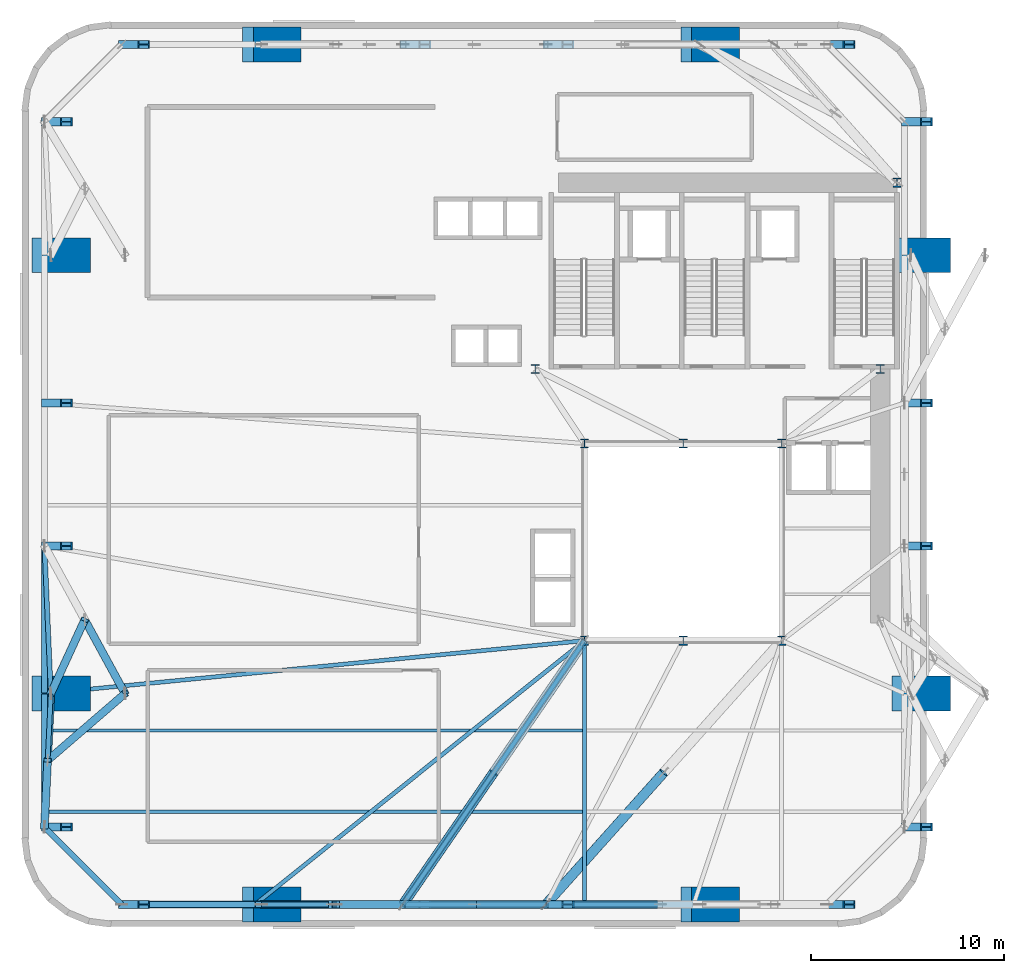
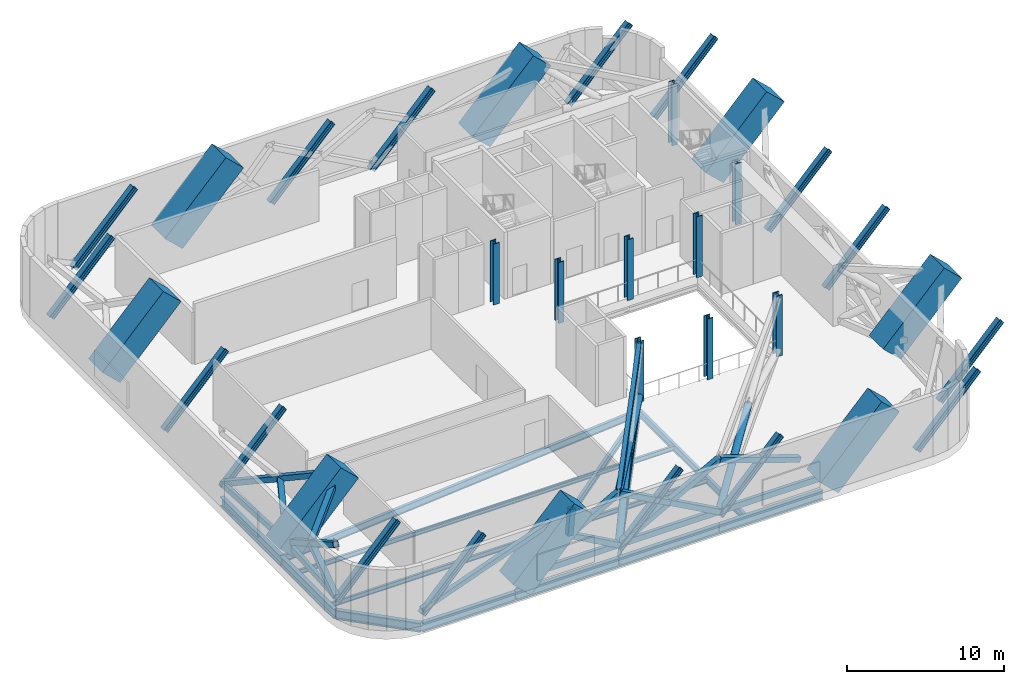
# One storey, part 1 of 12: 33 columns, 23 members, 13 beams.
"""IFC4 building model written with IfcOpenShell, lengths in metres."""

from ifc_helpers import new_model, si_unit, direction, frame, origin, origin_2d, place, context, subcontext, project, spatial, rectangle, hollow_rectangle, hollow_circle, i_section, extrude, source, transform, mapped, material, material_profile, profile_set, type_object, element, save


model = new_model("IFC4")

# Units and contexts
model_context = context("Model", 3, precision=1e-05, world=origin(), true_north=direction((0.0, 1.0)))
body_context = subcontext(model_context, "Body", "Model", "MODEL_VIEW")
ifc_project = project(units=[si_unit("LENGTHUNIT", "METRE"), si_unit("AREAUNIT", "SQUARE_METRE"), si_unit("VOLUMEUNIT", "CUBIC_METRE"), si_unit("PLANEANGLEUNIT", "RADIAN"), si_unit("MASSUNIT", "GRAM", prefix="KILO")], contexts=[model_context])

# Site, building, storey
site_placement = place(None, origin())
site = spatial("IfcSite", under=ifc_project, at=site_placement, CompositionType="ELEMENT")
building_placement = place(site_placement, origin())
building = spatial("IfcBuilding", under=site, at=building_placement, Name="Vardaveli Station Tower", CompositionType="ELEMENT")
storey_placement = place(building_placement, frame((0.0, 0.0, 93.300048828125)))
storey = spatial("IfcBuildingStorey", under=building, at=storey_placement, Name="L24", CompositionType="ELEMENT", Elevation=93.300048828125)

# Columns
ifc_material_1 = material(Name="Structural steel S460M", Category="steel")
ifc_material_profile_1 = material_profile(ifc_material_1, i_section(OverallWidth=0.427978515625, OverallDepth=0.48095703125, WebThickness=0.03955078125, FlangeThickness=0.0634765625, FilletRadius=0.014892578125, at=origin_2d()), Name="HD 400x677")
ifc_profile_set_1 = profile_set([ifc_material_profile_1], Name="Structural steel S460M")
column_type_1 = type_object("IfcColumnType", Name="COL-HD677", PredefinedType="COLUMN", material=ifc_profile_set_1)
shared_shape_1 = source(origin(), body_context, "Body", "SweptSolid", [
    extrude(i_section(OverallWidth=0.427978515625, OverallDepth=0.48095703125, WebThickness=0.03955078125, FlangeThickness=0.0634765625, FilletRadius=0.014892578125, at=origin_2d()), origin(), (0.0, 0.0, 1.0), 4.75),
])
for number, where, z_axis, x_axis, name in (
    (1, (31.199951171875, 16.60009765625, 0.0), (0.0, 0.0, 1.0), (1.0, 0.0, 0.0), "COL-L24-AC1"),
    (2, (36.300048828125, 16.60009765625, 0.0), (0.0, 0.0, 1.0), (1.0, 0.0, 0.0), "COL-L24-AC2"),
    (3, (41.39990234375, 16.60009765625, 0.0), (0.0, 0.0, 1.0), (1.0, 0.0, 0.0), "COL-L24-AC3"),
    (4, (41.39990234375, 26.800048828125, 0.0), (0.0, 0.0, 1.0), (1.0, 0.0, 0.0), "COL-L24-AC4"),
    (5, (36.300048828125, 26.800048828125, 0.0), (0.0, 0.0, 1.0), (1.0, 0.0, 0.0), "COL-L24-AC5"),
    (6, (31.199951171875, 26.800048828125, 0.0), (0.0, 0.0, 1.0), (1.0, 0.0, 0.0), "COL-L24-AC6"),
    (7, (28.64990234375, 30.64990234375, 0.0), (0.0, 0.0, 1.0), (1.0, 0.0, 0.0), "COL-L24-CC1"),
    (8, (46.5, 30.64990234375, 0.0), (0.0, 0.0, 1.0), (1.0, 0.0, 0.0), "COL-L24-CC2"),
    (9, (47.3701171875, 40.300048828125, 0.0), (0.0, 0.0, 1.0), (1.0, 0.0, 0.0), "COL-L24-CC3"),
):
    element("IfcColumn", number, at=place(storey_placement, frame(where, z_axis=z_axis, x_axis=x_axis)), inside=storey, type_object=column_type_1, Name=name, PredefinedType="COLUMN", context=body_context, shape_type="MappedRepresentation", body=[
        mapped(shared_shape_1, transform((0.0, 0.0, 0.0), scale=1.0)),
    ])
ifc_material_2 = material(Name="Concrete C70/85", Category="concrete")
ifc_material_profile_2 = material_profile(ifc_material_2, rectangle(XDim=1.800048828125, YDim=1.800048828125, at=origin_2d()), Name="MC 1800x1800")
ifc_profile_set_2 = profile_set([ifc_material_profile_2], Name="Concrete C70/85")
column_type_2 = type_object("IfcColumnType", Name="COL-MC-1800", PredefinedType="COLUMN", material=ifc_profile_set_2)
shared_shape_2 = source(origin(), body_context, "Body", "SweptSolid", [
    extrude(rectangle(XDim=1.800048828125, YDim=1.800048828125, at=origin_2d()), origin(), (0.0, 0.0, 1.0), 6.543212890625),
])
for number, where, z_axis, x_axis, name in (
    (10, (14.159912109375, 2.949951171875, 0.0), (0.687744647911, 0.0, 0.725952683906), (0.0, 1.0, 0.0), "COL-L24-MC1"),
    (11, (36.840087890625, 2.949951171875, 0.0), (0.687744647911, 0.0, 0.725952683906), (0.0, 1.0, 0.0), "COL-L24-MC2"),
    (12, (47.75, 13.860107421875, 0.0), (0.687744647911, 0.0, 0.725952683906), (0.0, 1.0, 0.0), "COL-L24-MC3"),
    (13, (47.75, 36.5400390625, 0.0), (0.687744647911, 0.0, 0.725952683906), (0.0, 1.0, 0.0), "COL-L24-MC4"),
    (14, (36.840087890625, 47.449951171875, 0.0), (0.687744647911, 0.0, 0.725952683906), (0.0, 1.0, 0.0), "COL-L24-MC5"),
    (15, (14.159912109375, 47.449951171875, 0.0), (0.687744647911, 0.0, 0.725952683906), (0.0, 1.0, 0.0), "COL-L24-MC6"),
    (16, (3.25, 36.5400390625, 0.0), (0.687744647911, 0.0, 0.725952683906), (0.0, 1.0, 0.0), "COL-L24-MC7"),
    (17, (3.25, 13.860107421875, 0.0), (0.687744647911, 0.0, 0.725952683906), (0.0, 1.0, 0.0), "COL-L24-MC8"),
):
    element("IfcColumn", number, at=place(storey_placement, frame(where, z_axis=z_axis, x_axis=x_axis)), inside=storey, type_object=column_type_2, Name=name, PredefinedType="COLUMN", context=body_context, shape_type="MappedRepresentation", body=[
        mapped(shared_shape_2, transform((0.0, 0.0, 0.0), scale=1.0)),
    ])
ifc_material_profile_3 = material_profile(ifc_material_1, i_section(OverallWidth=0.4189453125, OverallDepth=0.448974609375, WebThickness=0.030517578125, FlangeThickness=0.04833984375, FilletRadius=0.014892578125, at=origin_2d()), Name="HD 400x509")
ifc_profile_set_3 = profile_set([ifc_material_profile_3], Name="Structural steel S460M")
column_type_3 = type_object("IfcColumnType", Name="COL-HD509", PredefinedType="COLUMN", material=ifc_profile_set_3)
shared_shape_3 = source(origin(), body_context, "Body", "SweptSolid", [
    extrude(i_section(OverallWidth=0.4189453125, OverallDepth=0.448974609375, WebThickness=0.030517578125, FlangeThickness=0.04833984375, FilletRadius=0.014892578125, at=origin_2d()), origin(), (0.0, 0.0, 1.0), 6.543212890625),
])
for number, where, z_axis, x_axis, name in (
    (18, (7.25, 2.949951171875, 0.0), (0.687744647911, 0.0, 0.725952683906), (0.0, 1.0, 0.0), "COL-L24-PC01"),
    (19, (21.800048828125, 2.949951171875, 0.0), (0.687744647911, 0.0, 0.725952683906), (0.0, 1.0, 0.0), "COL-L24-PC02"),
    (20, (29.199951171875, 2.949951171875, 0.0), (0.687744647911, 0.0, 0.725952683906), (0.0, 1.0, 0.0), "COL-L24-PC03"),
    (21, (43.75, 2.949951171875, 0.0), (0.687744647911, 0.0, 0.725952683906), (0.0, 1.0, 0.0), "COL-L24-PC04"),
    (22, (47.75, 6.949951171875, 0.0), (0.687744647911, 0.0, 0.725952683906), (0.0, 1.0, 0.0), "COL-L24-PC05"),
    (23, (47.75, 21.5, 0.0), (0.687744647911, 0.0, 0.725952683906), (0.0, 1.0, 0.0), "COL-L24-PC06"),
    (24, (47.75, 28.89990234375, 0.0), (0.687744647911, 0.0, 0.725952683906), (0.0, 1.0, 0.0), "COL-L24-PC07"),
    (25, (47.75, 43.449951171875, 0.0), (0.687744647911, 0.0, 0.725952683906), (0.0, 1.0, 0.0), "COL-L24-PC08"),
    (26, (43.75, 47.449951171875, 0.0), (0.687744647911, 0.0, 0.725952683906), (0.0, 1.0, 0.0), "COL-L24-PC09"),
    (27, (29.199951171875, 47.449951171875, 0.0), (0.687744647911, 0.0, 0.725952683906), (0.0, 1.0, 0.0), "COL-L24-PC10"),
    (28, (21.800048828125, 47.449951171875, 0.0), (0.687744647911, 0.0, 0.725952683906), (0.0, 1.0, 0.0), "COL-L24-PC11"),
    (29, (7.25, 47.449951171875, 0.0), (0.687744647911, 0.0, 0.725952683906), (0.0, 1.0, 0.0), "COL-L24-PC12"),
    (30, (3.25, 43.449951171875, 0.0), (0.687744647911, 0.0, 0.725952683906), (0.0, 1.0, 0.0), "COL-L24-PC13"),
    (31, (3.25, 28.89990234375, 0.0), (0.687744647911, 0.0, 0.725952683906), (0.0, 1.0, 0.0), "COL-L24-PC14"),
    (32, (3.25, 21.5, 0.0), (0.687744647911, 0.0, 0.725952683906), (0.0, 1.0, 0.0), "COL-L24-PC15"),
    (33, (3.25, 6.949951171875, 0.0), (0.687744647911, 0.0, 0.725952683906), (0.0, 1.0, 0.0), "COL-L24-PC16"),
):
    element("IfcColumn", number, at=place(storey_placement, frame(where, z_axis=z_axis, x_axis=x_axis)), inside=storey, type_object=column_type_3, Name=name, PredefinedType="COLUMN", context=body_context, shape_type="MappedRepresentation", body=[
        mapped(shared_shape_3, transform((0.0, 0.0, 0.0), scale=1.0)),
    ])

# Beams
ifc_material_3 = material(Name="Structural steel S355J2", Category="steel")
ifc_material_profile_4 = material_profile(ifc_material_3, i_section(OverallWidth=0.2099609375, OverallDepth=0.550048828125, WebThickness=0.010986328125, FlangeThickness=0.01708984375, FilletRadius=0.02392578125, at=origin_2d()), Name="IPE 550")
ifc_profile_set_4 = profile_set([ifc_material_profile_4], Name="Structural steel S355J2")
beam_type_1 = type_object("IfcBeamType", Name="BM-IPE550", PredefinedType="BEAM", material=ifc_profile_set_4)
shared_shape_4 = source(origin(), body_context, "Body", "SweptSolid", [
    extrude(i_section(OverallWidth=0.2099609375, OverallDepth=0.550048828125, WebThickness=0.010986328125, FlangeThickness=0.01708984375, FilletRadius=0.02392578125, at=origin_2d()), origin(), (0.0, 0.0, 1.0), 13.469970703125),
])
beam_1_placement = place(storey_placement, frame((31.199951171875, 2.989990234375, -0.925048828125), z_axis=(0.0, 1.0, 0.0), x_axis=(-1.0, 0.0, 0.0)))
element("IfcBeam", 34, at=beam_1_placement, inside=storey, type_object=beam_type_1, Name="NSM-L24-S1", PredefinedType="BEAM", context=body_context, shape_type="MappedRepresentation", body=[
    mapped(shared_shape_4, transform((0.0, 0.0, 0.0), scale=1.0)),
])
ifc_material_profile_5 = material_profile(ifc_material_3, i_section(OverallWidth=0.169921875, OverallDepth=0.360107421875, WebThickness=0.008056640625, FlangeThickness=0.0126953125, FilletRadius=0.01806640625, at=origin_2d()), Name="IPE 360")
ifc_profile_set_5 = profile_set([ifc_material_profile_5], Name="Structural steel S355J2")
beam_type_2 = type_object("IfcBeamType", Name="BM-IPE360", PredefinedType="JOIST", material=ifc_profile_set_5)
shared_shape_5 = source(origin(), body_context, "Body", "SweptSolid", [
    extrude(i_section(OverallWidth=0.169921875, OverallDepth=0.360107421875, WebThickness=0.008056640625, FlangeThickness=0.0126953125, FilletRadius=0.01806640625, at=origin_2d()), origin(), (0.0, 0.0, 1.0), 27.7978515625),
])
for number, where, z_axis, x_axis, name in (
    (35, (3.2900390625, 7.75, -0.830078125), (1.0, 0.0, 0.0), (0.0, 1.0, 0.0), "SJ-L24-S01"),
    (36, (3.2900390625, 11.949951171875, -0.830078125), (1.0, 0.0, 0.0), (0.0, 1.0, 0.0), "SJ-L24-S04"),
):
    element("IfcBeam", number, at=place(storey_placement, frame(where, z_axis=z_axis, x_axis=x_axis)), inside=storey, type_object=beam_type_2, Name=name, PredefinedType="JOIST", context=body_context, shape_type="MappedRepresentation", body=[
        mapped(shared_shape_5, transform((0.0, 0.0, 0.0), scale=1.0)),
    ])
ifc_material_profile_6 = material_profile(ifc_material_1, i_section(OverallWidth=0.303955078125, OverallDepth=0.716064453125, WebThickness=0.02099609375, FlangeThickness=0.0400390625, FilletRadius=0.027099609375, at=origin_2d()), Name="HEM 700")
ifc_profile_set_6 = profile_set([ifc_material_profile_6], Name="Structural steel S460M")
beam_type_3 = type_object("IfcBeamType", Name="BM-HEM700", PredefinedType="BEAM", material=ifc_profile_set_6)
shared_shape_6 = source(origin(), body_context, "Body", "SweptSolid", [
    extrude(i_section(OverallWidth=0.303955078125, OverallDepth=0.716064453125, WebThickness=0.02099609375, FlangeThickness=0.0400390625, FilletRadius=0.027099609375, at=origin_2d()), origin(), (0.0, 0.0, 1.0), 7.60009765625),
])
for number, where, z_axis, x_axis, name in (
    (37, (14.179931640625, 2.949951171875, -1.008056640625), (1.0, 0.0, 0.0), (0.0, 1.0, 0.0), "RBM-L24-01"),
    (38, (29.219970703125, 2.949951171875, -1.008056640625), (1.0, 0.0, 0.0), (0.0, 1.0, 0.0), "RBM-L24-03"),
    (39, (3.25, 21.47998046875, -1.008056640625), (0.0, -1.0, 0.0), (1.0, 0.0, 0.0), "RBM-L24-21"),
):
    element("IfcBeam", number, at=place(storey_placement, frame(where, z_axis=z_axis, x_axis=x_axis)), inside=storey, type_object=beam_type_3, Name=name, PredefinedType="BEAM", context=body_context, shape_type="MappedRepresentation", body=[
        mapped(shared_shape_6, transform((0.0, 0.0, 0.0), scale=1.0)),
    ])
shared_shape_7 = source(origin(), body_context, "Body", "SweptSolid", [
    extrude(i_section(OverallWidth=0.303955078125, OverallDepth=0.716064453125, WebThickness=0.02099609375, FlangeThickness=0.0400390625, FilletRadius=0.027099609375, at=origin_2d()), origin(), (0.0, 0.0, 1.0), 7.35986328125),
])
beam_2_placement = place(storey_placement, frame((21.820068359375, 2.949951171875, -1.008056640625), z_axis=(1.0, 0.0, 0.0), x_axis=(0.0, 1.0, 0.0)))
element("IfcBeam", 40, at=beam_2_placement, inside=storey, type_object=beam_type_3, Name="RBM-L24-02", PredefinedType="BEAM", context=body_context, shape_type="MappedRepresentation", body=[
    mapped(shared_shape_7, transform((0.0, 0.0, 0.0), scale=1.0)),
])
shared_shape_8 = source(origin(), body_context, "Body", "SweptSolid", [
    extrude(i_section(OverallWidth=0.303955078125, OverallDepth=0.716064453125, WebThickness=0.02099609375, FlangeThickness=0.0400390625, FilletRadius=0.027099609375, at=origin_2d()), origin(), (0.0, 0.0, 1.0), 6.869873046875),
])
beam_3_placement = place(storey_placement, frame((7.27001953125, 2.949951171875, -1.008056640625), z_axis=(1.0, 0.0, 0.0), x_axis=(0.0, 1.0, 0.0)))
element("IfcBeam", 41, at=beam_3_placement, inside=storey, type_object=beam_type_3, Name="RBM-L24-24", PredefinedType="BEAM", context=body_context, shape_type="MappedRepresentation", body=[
    mapped(shared_shape_8, transform((0.0, 0.0, 0.0), scale=1.0)),
])
shared_shape_9 = source(origin(), body_context, "Body", "SweptSolid", [
    extrude(i_section(OverallWidth=0.303955078125, OverallDepth=0.716064453125, WebThickness=0.02099609375, FlangeThickness=0.0400390625, FilletRadius=0.027099609375, at=origin_2d()), origin(), (0.0, 0.0, 1.0), 5.61669921875),
])
beam_4_placement = place(storey_placement, frame((3.26416015625, 6.935791015625, -1.008056640625), z_axis=(0.707106781187, -0.707106781187, 0.0), x_axis=(0.707106781187, 0.707106781187, 0.0)))
element("IfcBeam", 42, at=beam_4_placement, inside=storey, type_object=beam_type_3, Name="RBM-L24-23", PredefinedType="BEAM", context=body_context, shape_type="MappedRepresentation", body=[
    mapped(shared_shape_9, transform((0.0, 0.0, 0.0), scale=1.0)),
])
shared_shape_10 = source(origin(), body_context, "Body", "SweptSolid", [
    extrude(i_section(OverallWidth=0.303955078125, OverallDepth=0.716064453125, WebThickness=0.02099609375, FlangeThickness=0.0400390625, FilletRadius=0.027099609375, at=origin_2d()), origin(), (0.0, 0.0, 1.0), 6.8701171875),
])
beam_5_placement = place(storey_placement, frame((3.25, 13.840087890625, -1.008056640625), z_axis=(0.0, -1.0, 0.0), x_axis=(1.0, 0.0, 0.0)))
element("IfcBeam", 43, at=beam_5_placement, inside=storey, type_object=beam_type_3, Name="RBM-L24-22", PredefinedType="BEAM", context=body_context, shape_type="MappedRepresentation", body=[
    mapped(shared_shape_10, transform((0.0, 0.0, 0.0), scale=1.0)),
])
shared_shape_11 = source(origin(), body_context, "Body", "SweptSolid", [
    extrude(i_section(OverallWidth=0.2099609375, OverallDepth=0.550048828125, WebThickness=0.010986328125, FlangeThickness=0.01708984375, FilletRadius=0.02392578125, at=origin_2d()), origin(), (0.0, 0.0, 1.0), 21.793212890625),
])
beam_6_placement = place(storey_placement, frame((14.175537109375, 2.96240234375, -0.925048828125), z_axis=(0.780466445023, 0.625197671296, 0.0), x_axis=(-0.625197671296, 0.780466445023, 0.0)))
element("IfcBeam", 44, at=beam_6_placement, inside=storey, type_object=beam_type_1, Name="GBM-L24-01", PredefinedType="BEAM", context=body_context, shape_type="MappedRepresentation", body=[
    mapped(shared_shape_11, transform((0.0, 0.0, 0.0), scale=1.0)),
])
shared_shape_12 = source(origin(), body_context, "Body", "SweptSolid", [
    extrude(i_section(OverallWidth=0.2099609375, OverallDepth=0.550048828125, WebThickness=0.010986328125, FlangeThickness=0.01708984375, FilletRadius=0.02392578125, at=origin_2d()), origin(), (0.0, 0.0, 1.0), 16.533447265625),
])
beam_7_placement = place(storey_placement, frame((21.811279296875, 2.966552734375, -0.925048828125), z_axis=(0.567177272103, 0.823595739431, 0.0), x_axis=(-0.823595739431, 0.567177272103, 0.0)))
element("IfcBeam", 45, at=beam_7_placement, inside=storey, type_object=beam_type_1, Name="GBM-L24-02", PredefinedType="BEAM", context=body_context, shape_type="MappedRepresentation", body=[
    mapped(shared_shape_12, transform((0.0, 0.0, 0.0), scale=1.0)),
])
shared_shape_13 = source(origin(), body_context, "Body", "SweptSolid", [
    extrude(i_section(OverallWidth=0.2099609375, OverallDepth=0.550048828125, WebThickness=0.010986328125, FlangeThickness=0.01708984375, FilletRadius=0.02392578125, at=origin_2d()), origin(), (0.0, 0.0, 1.0), 28.0439453125),
])
beam_8_placement = place(storey_placement, frame((3.27001953125, 13.862060546875, -0.925048828125), z_axis=(0.995229237856, 0.097564153855, 0.0), x_axis=(-0.097564153855, 0.995229237856, 0.0)))
element("IfcBeam", 46, at=beam_8_placement, inside=storey, type_object=beam_type_1, Name="GBM-L24-10", PredefinedType="BEAM", context=body_context, shape_type="MappedRepresentation", body=[
    mapped(shared_shape_13, transform((0.0, 0.0, 0.0), scale=1.0)),
])

# Members
ifc_material_profile_7 = material_profile(ifc_material_1, hollow_rectangle(XDim=0.300048828125, YDim=0.5, WallThickness=0.02001953125, at=origin_2d()), Name="RHS 500x300x20")
ifc_profile_set_7 = profile_set([ifc_material_profile_7], Name="Structural steel S460M")
member_type_1 = type_object("IfcMemberType", Name="MEM-CH-RHS500", PredefinedType="CHORD", material=ifc_profile_set_7)
shared_shape_14 = source(origin(), body_context, "Body", "SweptSolid", [
    extrude(hollow_rectangle(XDim=0.300048828125, YDim=0.5, WallThickness=0.02001953125, at=origin_2d()), origin(), (0.0, 0.0, 1.0), 16.57373046875),
])
for number, where, z_axis, x_axis, name in (
    (47, (31.199951171875, 16.60009765625, 0.349853515625), (-0.567160707984, -0.823607146229, 0.0), (0.823607146229, -0.567160707984, 0.0), "OUT-L24-OA1-CHB"),
    (48, (31.199951171875, 16.60009765625, 4.39990234375), (-0.567160707984, -0.823607146229, 0.0), (0.823607146229, -0.567160707984, 0.0), "OUT-L24-OA1-CHT"),
):
    element("IfcMember", number, at=place(storey_placement, frame(where, z_axis=z_axis, x_axis=x_axis)), inside=storey, type_object=member_type_1, Name=name, PredefinedType="CHORD", context=body_context, shape_type="MappedRepresentation", body=[
        mapped(shared_shape_14, transform((0.0, 0.0, 0.0), scale=1.0)),
    ])
ifc_material_profile_8 = material_profile(ifc_material_1, hollow_circle(Radius=0.25390625, WallThickness=0.02490234375, at=origin_2d()), Name="CHS 508x25")
ifc_profile_set_8 = profile_set([ifc_material_profile_8], Name="Structural steel S460M")
member_type_2 = type_object("IfcMemberType", Name="MEM-BR-CHS508", PredefinedType="BRACE", material=ifc_profile_set_8)
shared_shape_15 = source(origin(), body_context, "Body", "SweptSolid", [
    extrude(hollow_circle(Radius=0.25390625, WallThickness=0.02490234375, at=origin_2d()), origin(), (0.0, 0.0, 1.0), 17.061279296875),
])
member_1_placement = place(storey_placement, frame((31.199951171875, 16.60009765625, 0.349853515625), z_axis=(-0.550949153176, -0.800065401882, 0.237382356814), x_axis=(0.823607146229, -0.567160707984, 0.0)))
element("IfcMember", 49, at=member_1_placement, inside=storey, type_object=member_type_2, Name="OUT-L24-OA1-D1", PredefinedType="BRACE", context=body_context, shape_type="MappedRepresentation", body=[
    mapped(shared_shape_15, transform((0.0, 0.0, 0.0), scale=1.0)),
])
shared_shape_16 = source(origin(), body_context, "Body", "SweptSolid", [
    extrude(hollow_circle(Radius=0.25390625, WallThickness=0.02490234375, at=origin_2d()), origin(), (0.0, 0.0, 1.0), 8.530517578125),
])
member_2_placement = place(storey_placement, frame((21.800048828125, 2.949951171875, 0.349853515625), z_axis=(0.55095358924, 0.800057534009, 0.237398577879), x_axis=(-0.823602407705, 0.567167589009, 0.0)))
element("IfcMember", 50, at=member_2_placement, inside=storey, type_object=member_type_2, Name="OUT-L24-OA1-D2A", PredefinedType="BRACE", context=body_context, shape_type="MappedRepresentation", body=[
    mapped(shared_shape_16, transform((0.0, 0.0, 0.0), scale=1.0)),
])
shared_shape_17 = source(origin(), body_context, "Body", "SweptSolid", [
    extrude(hollow_circle(Radius=0.25390625, WallThickness=0.02490234375, at=origin_2d()), origin(), (0.0, 0.0, 1.0), 9.375),
])
member_3_placement = place(storey_placement, frame((29.199951171875, 2.949951171875, 0.349853515625), z_axis=(0.650670630758, 0.727987572354, 0.216013482836), x_axis=(-0.745590684684, 0.666404179843, 0.0)))
element("IfcMember", 51, at=member_3_placement, inside=storey, type_object=member_type_2, Name="OUT-L24-OA2-D2A", PredefinedType="BRACE", context=body_context, shape_type="MappedRepresentation", body=[
    mapped(shared_shape_17, transform((0.0, 0.0, 0.0), scale=1.0)),
])
ifc_material_profile_9 = material_profile(ifc_material_1, hollow_rectangle(XDim=0.25, YDim=0.449951171875, WallThickness=0.01611328125, at=origin_2d()), Name="RHS 450x250x16")
ifc_profile_set_9 = profile_set([ifc_material_profile_9], Name="Structural steel S460M")
member_type_3 = type_object("IfcMemberType", Name="MEM-CH-RHS450", PredefinedType="CHORD", material=ifc_profile_set_9)
shared_shape_18 = source(origin(), body_context, "Body", "SweptSolid", [
    extrude(hollow_rectangle(XDim=0.25, YDim=0.449951171875, WallThickness=0.01611328125, at=origin_2d()), origin(), (0.0, 0.0, 1.0), 7.308349609375),
])
member_4_placement = place(storey_placement, frame((14.49169921875, 2.949951171875, 0.349853515625), z_axis=(1.0, 0.0, 0.0), x_axis=(0.0, 1.0, 0.0)))
element("IfcMember", 52, at=member_4_placement, inside=storey, type_object=member_type_3, Name="BLT-L24-CH-01", PredefinedType="CHORD", context=body_context, shape_type="MappedRepresentation", body=[
    mapped(shared_shape_18, transform((0.0, 0.0, 0.0), scale=1.0)),
])
ifc_material_profile_10 = material_profile(ifc_material_1, hollow_rectangle(XDim=0.39990234375, YDim=0.39990234375, WallThickness=0.02001953125, at=origin_2d()), Name="RHS 400x400x20")
ifc_profile_set_10 = profile_set([ifc_material_profile_10], Name="Structural steel S460M")
member_type_4 = type_object("IfcMemberType", Name="MEM-BR-RHS400", PredefinedType="BRACE", material=ifc_profile_set_10)
shared_shape_19 = source(origin(), body_context, "Body", "SweptSolid", [
    extrude(hollow_rectangle(XDim=0.39990234375, YDim=0.39990234375, WallThickness=0.02001953125, at=origin_2d()), origin(), (0.0, 0.0, 1.0), 8.35546875),
])
member_5_placement = place(storey_placement, frame((14.49169921875, 2.949951171875, 0.349853515625), z_axis=(0.874672251849, 0.0, 0.484714814963), x_axis=(0.0, 1.0, 0.0)))
element("IfcMember", 53, at=member_5_placement, inside=storey, type_object=member_type_4, Name="BLT-L24-D1-01", PredefinedType="BRACE", context=body_context, shape_type="MappedRepresentation", body=[
    mapped(shared_shape_19, transform((0.0, 0.0, 0.0), scale=1.0)),
])
shared_shape_20 = source(origin(), body_context, "Body", "SweptSolid", [
    extrude(hollow_rectangle(XDim=0.39990234375, YDim=0.39990234375, WallThickness=0.02001953125, at=origin_2d()), origin(), (0.0, 0.0, 1.0), 4.177978515625),
])
member_6_placement = place(storey_placement, frame((21.800048828125, 2.949951171875, 0.349853515625), z_axis=(-0.874666729081, 0.0, 0.484724780714), x_axis=(0.0, -1.0, 0.0)))
element("IfcMember", 54, at=member_6_placement, inside=storey, type_object=member_type_4, Name="BLT-L24-D2A-01", PredefinedType="BRACE", context=body_context, shape_type="MappedRepresentation", body=[
    mapped(shared_shape_20, transform((0.0, 0.0, 0.0), scale=1.0)),
])
shared_shape_21 = source(origin(), body_context, "Body", "SweptSolid", [
    extrude(hollow_rectangle(XDim=0.39990234375, YDim=0.39990234375, WallThickness=0.02001953125, at=origin_2d()), origin(), (0.0, 0.0, 1.0), 2.033203125),
])
member_7_placement = place(storey_placement, frame((18.145751953125, 2.949951171875, 2.375), z_axis=(0.089821137984, 0.0, 0.995957912349), x_axis=(0.0, 1.0, 0.0)))
element("IfcMember", 55, at=member_7_placement, inside=storey, type_object=member_type_4, Name="BLT-L24-D2B-01", PredefinedType="BRACE", context=body_context, shape_type="MappedRepresentation", body=[
    mapped(shared_shape_21, transform((0.0, 0.0, 0.0), scale=1.0)),
])
shared_shape_22 = source(origin(), body_context, "Body", "SweptSolid", [
    extrude(hollow_rectangle(XDim=0.25, YDim=0.449951171875, WallThickness=0.01611328125, at=origin_2d()), origin(), (0.0, 0.0, 1.0), 7.39990234375),
])
member_8_placement = place(storey_placement, frame((21.800048828125, 2.949951171875, 0.349853515625), z_axis=(1.0, 0.0, 0.0), x_axis=(0.0, 1.0, 0.0)))
element("IfcMember", 56, at=member_8_placement, inside=storey, type_object=member_type_3, Name="BLT-L24-CH-02", PredefinedType="CHORD", context=body_context, shape_type="MappedRepresentation", body=[
    mapped(shared_shape_22, transform((0.0, 0.0, 0.0), scale=1.0)),
])
shared_shape_23 = source(origin(), body_context, "Body", "SweptSolid", [
    extrude(hollow_rectangle(XDim=0.39990234375, YDim=0.39990234375, WallThickness=0.02001953125, at=origin_2d()), origin(), (0.0, 0.0, 1.0), 8.435791015625),
])
member_9_placement = place(storey_placement, frame((21.800048828125, 2.949951171875, 0.349853515625), z_axis=(0.877210039359, 0.0, 0.480106807751), x_axis=(0.0, 1.0, 0.0)))
element("IfcMember", 57, at=member_9_placement, inside=storey, type_object=member_type_4, Name="BLT-L24-D1-02", PredefinedType="BRACE", context=body_context, shape_type="MappedRepresentation", body=[
    mapped(shared_shape_23, transform((0.0, 0.0, 0.0), scale=1.0)),
])
shared_shape_24 = source(origin(), body_context, "Body", "SweptSolid", [
    extrude(hollow_rectangle(XDim=0.39990234375, YDim=0.39990234375, WallThickness=0.02001953125, at=origin_2d()), origin(), (0.0, 0.0, 1.0), 4.218017578125),
])
member_10_placement = place(storey_placement, frame((29.199951171875, 2.949951171875, 0.349853515625), z_axis=(-0.877197850497, 0.0, 0.480129077524), x_axis=(0.0, -1.0, 0.0)))
element("IfcMember", 58, at=member_10_placement, inside=storey, type_object=member_type_4, Name="BLT-L24-D2A-02", PredefinedType="BRACE", context=body_context, shape_type="MappedRepresentation", body=[
    mapped(shared_shape_24, transform((0.0, 0.0, 0.0), scale=1.0)),
])
shared_shape_25 = source(origin(), body_context, "Body", "SweptSolid", [
    extrude(hollow_rectangle(XDim=0.39990234375, YDim=0.39990234375, WallThickness=0.02001953125, at=origin_2d()), origin(), (0.0, 0.0, 1.0), 4.2177734375),
])
member_11_placement = place(storey_placement, frame((25.5, 2.949951171875, 2.375), z_axis=(-0.877222227994, 0.0, 0.480084537049), x_axis=(0.0, -1.0, 0.0)))
element("IfcMember", 59, at=member_11_placement, inside=storey, type_object=member_type_4, Name="BLT-L24-D2B-02", PredefinedType="BRACE", context=body_context, shape_type="MappedRepresentation", body=[
    mapped(shared_shape_25, transform((0.0, 0.0, 0.0), scale=1.0)),
])
shared_shape_26 = source(origin(), body_context, "Body", "SweptSolid", [
    extrude(hollow_rectangle(XDim=0.25, YDim=0.449951171875, WallThickness=0.01611328125, at=origin_2d()), origin(), (0.0, 0.0, 1.0), 7.9716796875),
])
member_12_placement = place(storey_placement, frame((29.199951171875, 2.949951171875, 0.349853515625), z_axis=(1.0, 0.0, 0.0), x_axis=(0.0, 1.0, 0.0)))
element("IfcMember", 60, at=member_12_placement, inside=storey, type_object=member_type_3, Name="BLT-L24-CH-03", PredefinedType="CHORD", context=body_context, shape_type="MappedRepresentation", body=[
    mapped(shared_shape_26, transform((0.0, 0.0, 0.0), scale=1.0)),
])
shared_shape_27 = source(origin(), body_context, "Body", "SweptSolid", [
    extrude(hollow_rectangle(XDim=0.39990234375, YDim=0.39990234375, WallThickness=0.02001953125, at=origin_2d()), origin(), (0.0, 0.0, 1.0), 6.241943359375),
])
member_13_placement = place(storey_placement, frame((35.104248046875, 2.949951171875, 2.375), z_axis=(-0.945917828762, 0.0, 0.324406321194), x_axis=(0.0, -1.0, 0.0)))
element("IfcMember", 61, at=member_13_placement, inside=storey, type_object=member_type_4, Name="BLT-L24-D2B-03", PredefinedType="BRACE", context=body_context, shape_type="MappedRepresentation", body=[
    mapped(shared_shape_27, transform((0.0, 0.0, 0.0), scale=1.0)),
])
shared_shape_28 = source(origin(), body_context, "Body", "SweptSolid", [
    extrude(hollow_rectangle(XDim=0.25, YDim=0.449951171875, WallThickness=0.01611328125, at=origin_2d()), origin(), (0.0, 0.0, 1.0), 6.918212890625),
])
member_14_placement = place(storey_placement, frame((3.58154296875, 13.860107421875, 0.349853515625), z_axis=(-0.047923955643, -0.998850987122, 0.0), x_axis=(0.998850987122, -0.047923955643, 0.0)))
element("IfcMember", 62, at=member_14_placement, inside=storey, type_object=member_type_3, Name="BLT-L24-CH-15", PredefinedType="CHORD", context=body_context, shape_type="MappedRepresentation", body=[
    mapped(shared_shape_28, transform((0.0, 0.0, 0.0), scale=1.0)),
])
shared_shape_29 = source(origin(), body_context, "Body", "SweptSolid", [
    extrude(hollow_rectangle(XDim=0.25, YDim=0.449951171875, WallThickness=0.01611328125, at=origin_2d()), origin(), (0.0, 0.0, 1.0), 7.64697265625),
])
member_15_placement = place(storey_placement, frame((3.25, 21.5, 0.349853515625), z_axis=(0.043355481573, -0.999059709035, 0.0), x_axis=(0.999059709035, 0.043355481573, 0.0)))
element("IfcMember", 63, at=member_15_placement, inside=storey, type_object=member_type_3, Name="BLT-L24-CH-14", PredefinedType="CHORD", context=body_context, shape_type="MappedRepresentation", body=[
    mapped(shared_shape_29, transform((0.0, 0.0, 0.0), scale=1.0)),
])
shared_shape_30 = source(origin(), body_context, "Body", "SweptSolid", [
    extrude(hollow_rectangle(XDim=0.39990234375, YDim=0.39990234375, WallThickness=0.02001953125, at=origin_2d()), origin(), (0.0, 0.0, 1.0), 9.599365234375),
])
member_16_placement = place(storey_placement, frame((3.25, 21.5, 0.349853515625), z_axis=(0.43424516583, -0.795878761527, 0.421910100501), x_axis=(0.877835530868, 0.478962191354, 0.0)))
element("IfcMember", 64, at=member_16_placement, inside=storey, type_object=member_type_4, Name="BLT-L24-D1-14", PredefinedType="BRACE", context=body_context, shape_type="MappedRepresentation", body=[
    mapped(shared_shape_30, transform((0.0, 0.0, 0.0), scale=1.0)),
])
shared_shape_31 = source(origin(), body_context, "Body", "SweptSolid", [
    extrude(hollow_rectangle(XDim=0.39990234375, YDim=0.39990234375, WallThickness=0.02001953125, at=origin_2d()), origin(), (0.0, 0.0, 1.0), 4.665283203125),
])
member_17_placement = place(storey_placement, frame((3.58154296875, 13.860107421875, 0.349853515625), z_axis=(0.375692764614, 0.818789385034, 0.434095484396), x_axis=(-0.908890554032, 0.417034723724, 0.0)))
element("IfcMember", 65, at=member_17_placement, inside=storey, type_object=member_type_4, Name="BLT-L24-D2A-14", PredefinedType="BRACE", context=body_context, shape_type="MappedRepresentation", body=[
    mapped(shared_shape_31, transform((0.0, 0.0, 0.0), scale=1.0)),
])
shared_shape_32 = source(origin(), body_context, "Body", "SweptSolid", [
    extrude(hollow_rectangle(XDim=0.39990234375, YDim=0.39990234375, WallThickness=0.02001953125, at=origin_2d()), origin(), (0.0, 0.0, 1.0), 8.016357421875),
])
member_18_placement = place(storey_placement, frame((3.58154296875, 13.860107421875, 0.349853515625), z_axis=(-0.041357956148, -0.861999698675, 0.505218803043), x_axis=(0.998850987122, -0.047923955643, 0.0)))
element("IfcMember", 66, at=member_18_placement, inside=storey, type_object=member_type_4, Name="BLT-L24-D1-15", PredefinedType="BRACE", context=body_context, shape_type="MappedRepresentation", body=[
    mapped(shared_shape_32, transform((0.0, 0.0, 0.0), scale=1.0)),
])
shared_shape_33 = source(origin(), body_context, "Body", "SweptSolid", [
    extrude(hollow_rectangle(XDim=0.39990234375, YDim=0.39990234375, WallThickness=0.02001953125, at=origin_2d()), origin(), (0.0, 0.0, 1.0), 4.00830078125),
])
member_19_placement = place(storey_placement, frame((3.25, 6.949951171875, 0.349853515625), z_axis=(0.04135731979, 0.861986435455, 0.505241484037), x_axis=(-0.998850987122, 0.047923955643, 0.0)))
element("IfcMember", 67, at=member_19_placement, inside=storey, type_object=member_type_4, Name="BLT-L24-D2A-15", PredefinedType="BRACE", context=body_context, shape_type="MappedRepresentation", body=[
    mapped(shared_shape_33, transform((0.0, 0.0, 0.0), scale=1.0)),
])
shared_shape_34 = source(origin(), body_context, "Body", "SweptSolid", [
    extrude(hollow_rectangle(XDim=0.39990234375, YDim=0.39990234375, WallThickness=0.02001953125, at=origin_2d()), origin(), (0.0, 0.0, 1.0), 5.662109375),
])
member_20_placement = place(storey_placement, frame((3.415771484375, 10.405029296875, 2.375), z_axis=(0.706926969615, 0.610212288746, 0.357624415126), x_axis=(-0.653426309015, 0.756990131169, 0.0)))
element("IfcMember", 68, at=member_20_placement, inside=storey, type_object=member_type_4, Name="BLT-L24-D2B-15", PredefinedType="BRACE", context=body_context, shape_type="MappedRepresentation", body=[
    mapped(shared_shape_34, transform((0.0, 0.0, 0.0), scale=1.0)),
])
ifc_material_profile_11 = material_profile(ifc_material_1, hollow_rectangle(XDim=0.35009765625, YDim=0.35009765625, WallThickness=0.01611328125, at=origin_2d()), Name="RHS 350x350x16")
ifc_profile_set_11 = profile_set([ifc_material_profile_11], Name="Structural steel S460M")
member_type_5 = type_object("IfcMemberType", Name="MEM-ST-RHS350", PredefinedType="STRUT", material=ifc_profile_set_11)
shared_shape_35 = source(origin(), body_context, "Body", "SweptSolid", [
    extrude(hollow_rectangle(XDim=0.35009765625, YDim=0.35009765625, WallThickness=0.01611328125, at=origin_2d()), origin(), (0.0, 0.0, 1.0), 11.79541015625),
])
member_21_placement = place(storey_placement, frame((7.25, 2.949951171875, 0.349853515625), z_axis=(0.939205247186, 0.0, 0.343356234338), x_axis=(0.0, 1.0, 0.0)))
element("IfcMember", 69, at=member_21_placement, inside=storey, type_object=member_type_5, Name="STRUT-L24-1", PredefinedType="STRUT", context=body_context, shape_type="MappedRepresentation", body=[
    mapped(shared_shape_35, transform((0.0, 0.0, 0.0), scale=1.0)),
])

save(model, "model.ifc")
